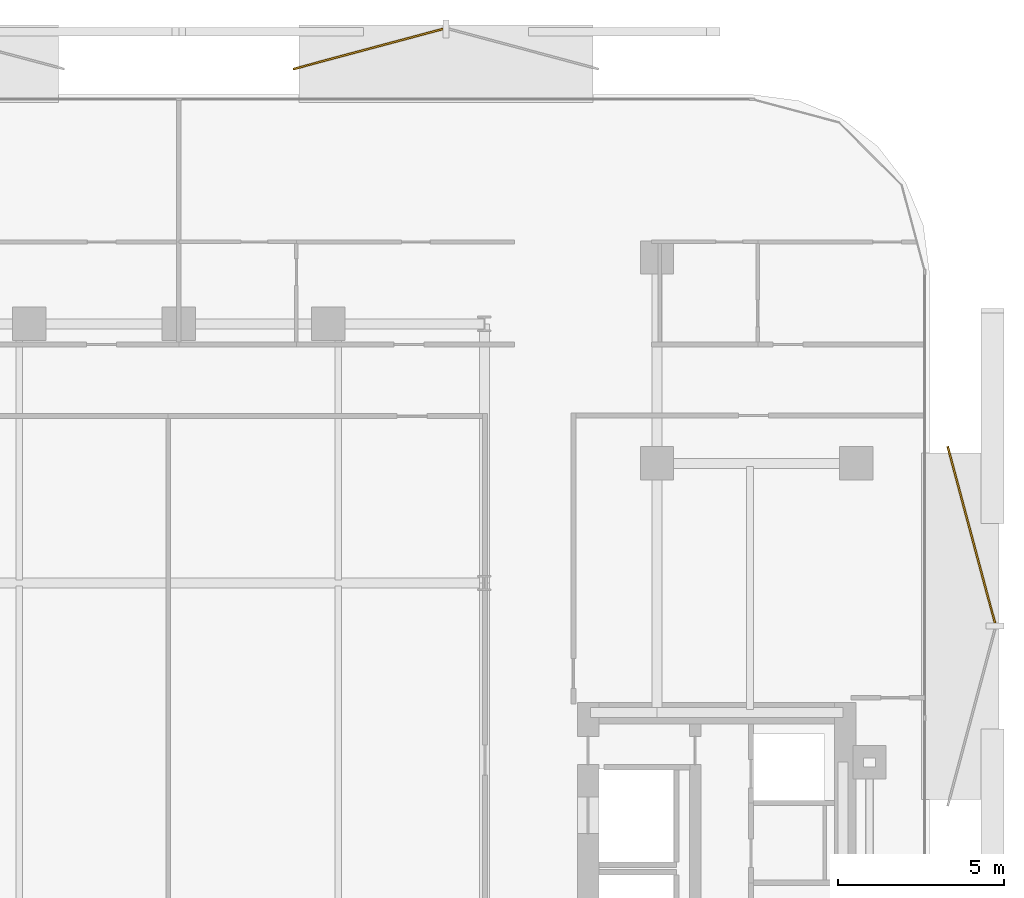
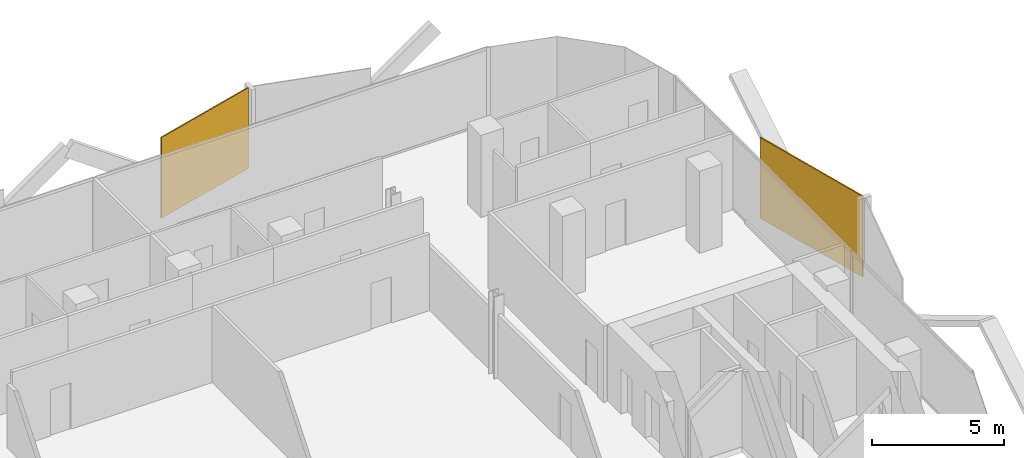
# One storey, part 17 of 17: 2 coverings.
"""IFC4 building model written with IfcOpenShell, lengths in metres."""

from ifc_helpers import new_model, si_unit, direction, frame, origin, origin_2d, place, context, subcontext, project, spatial, rectangle, extrude, material, layer, layer_set, type_object, element, save


model = new_model("IFC4")

# Units and contexts
model_context = context("Model", 3, precision=1e-05, world=origin(), true_north=direction((0.0, 1.0)))
body_context = subcontext(model_context, "Body", "Model", "MODEL_VIEW")
ifc_project = project(units=[si_unit("LENGTHUNIT", "METRE"), si_unit("AREAUNIT", "SQUARE_METRE"), si_unit("VOLUMEUNIT", "CUBIC_METRE"), si_unit("PLANEANGLEUNIT", "RADIAN"), si_unit("MASSUNIT", "GRAM", prefix="KILO")], contexts=[model_context])

# Site, building, storey
site_placement = place(None, origin())
site = spatial("IfcSite", under=ifc_project, at=site_placement, CompositionType="ELEMENT")
building_placement = place(site_placement, origin())
building = spatial("IfcBuilding", under=site, at=building_placement, Name="Khairoan Windgate Tower", CompositionType="ELEMENT")
storey_placement = place(building_placement, frame((0.0, 0.0, 180.199951171875)))
storey = spatial("IfcBuildingStorey", under=building, at=storey_placement, Name="L41", CompositionType="ELEMENT", Elevation=180.199951171875)

# Coverings
ifc_material = material(Name="Anodised Bronze Aluminium 6063-T6", Category="aluminium")
ifc_layer = layer(ifc_material, 0.054931640625, Name="Anodised Bronze Aluminium 6063-T6")
ifc_layer_set = layer_set([ifc_layer], Name="Anodised Bronze Aluminium 6063-T6")
covering_type = type_object("IfcCoveringType", Name="Perforated Bronze-Ceramic Folded Solar Screen Cladding BSC-1", PredefinedType="CLADDING", material=ifc_layer_set)
covering_1_placement = place(storey_placement, frame((5.701904296875, 26.876220703125, -0.10009765625), z_axis=(0.0, 0.0, 1.0), x_axis=(0.965925826289, 0.258819045103, 0.0)))
element("IfcCovering", 1, at=covering_1_placement, inside=storey, type_object=covering_type, Name="L41 Folded Bronze Solar Screen Facet 270L", PredefinedType="CLADDING", context=body_context, shape_type="SweptSolid", body=[
    extrude(rectangle(XDim=4.666015625, YDim=0.054931640625, at=origin_2d()), origin(), (0.0, 0.0, 1.0), 3.739990234375),
])
covering_2_placement = place(storey_placement, frame((23.8671875, 12.2451171875, -0.10009765625), z_axis=(0.0, 0.0, 1.0), x_axis=(0.258819045103, -0.965925826289, 0.0)))
element("IfcCovering", 2, at=covering_2_placement, inside=storey, type_object=covering_type, Name="L41 Folded Bronze Solar Screen Facet 271L", PredefinedType="CLADDING", context=body_context, shape_type="SweptSolid", body=[
    extrude(rectangle(XDim=5.507080078125, YDim=0.054931640625, at=origin_2d()), origin(), (0.0, 0.0, 1.0), 3.739990234375),
])

save(model, "model.ifc")
